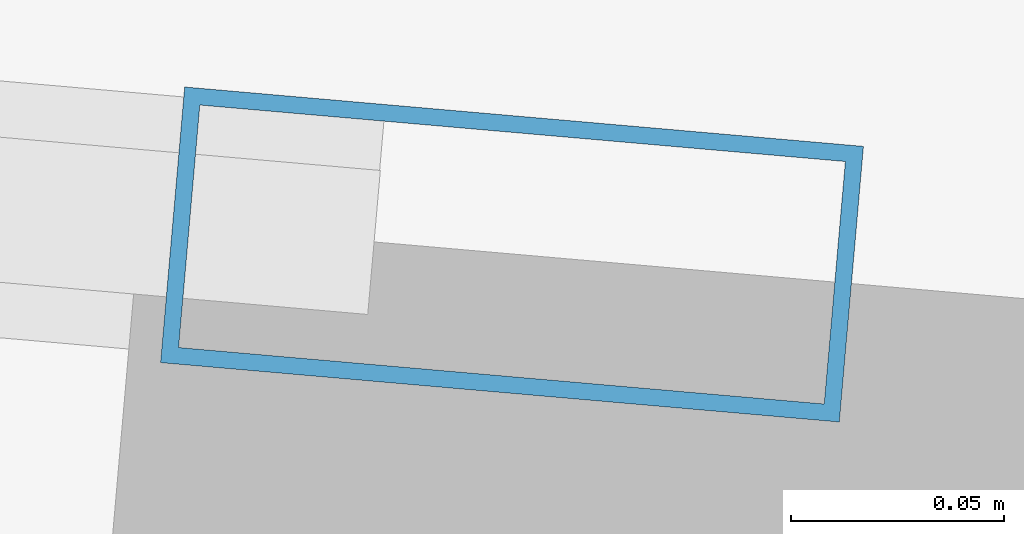
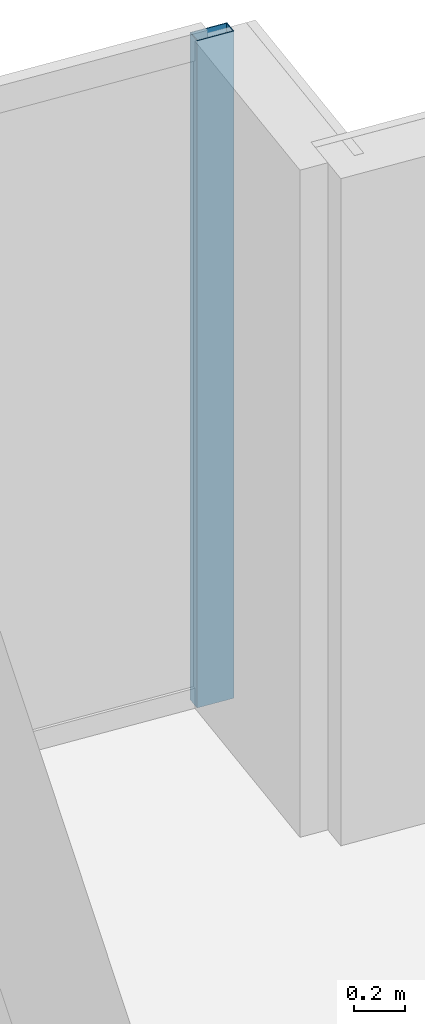
# One storey, part 22 of 33: 1 member, 1 element without a shape of its own.
"""IFC4 building model written with IfcOpenShell, lengths in metres."""

from ifc_helpers import new_model, si_unit, direction, frame, origin, origin_2d, place, context, subcontext, project, spatial, hollow_rectangle, extrude, material, material_profile, profile_set, type_object, element, aggregate, save


model = new_model("IFC4")

# Units and contexts
model_context = context("Model", 3, precision=1e-05, world=origin(), true_north=direction((0.0, 1.0)))
body_context = subcontext(model_context, "Body", "Model", "MODEL_VIEW")
ifc_project = project(units=[si_unit("LENGTHUNIT", "METRE"), si_unit("AREAUNIT", "SQUARE_METRE"), si_unit("VOLUMEUNIT", "CUBIC_METRE"), si_unit("PLANEANGLEUNIT", "RADIAN"), si_unit("MASSUNIT", "GRAM", prefix="KILO")], contexts=[model_context])

# Site, building, storey
site_placement = place(None, origin())
site = spatial("IfcSite", under=ifc_project, at=site_placement, CompositionType="ELEMENT")
building_placement = place(site_placement, origin())
building = spatial("IfcBuilding", under=site, at=building_placement, Name="Yelkora Congress Tower", CompositionType="ELEMENT")
storey_placement = place(building_placement, frame((0.0, 0.0, 289.699951171875)))
storey = spatial("IfcBuildingStorey", under=building, at=storey_placement, Name="L81", CompositionType="ELEMENT", Elevation=289.699951171875)

# Curtain wall, member
ifc_material_1 = material(Name="Anodised aluminium and insulated glass", Category="aluminium")
curtain_wall_type = type_object("IfcCurtainWallType", Name="CW-SYS-B5", PredefinedType="NOTDEFINED", material=ifc_material_1)
curtain_wall_placement = place(storey_placement, origin())
curtain_wall = element("IfcCurtainWall", 1, at=curtain_wall_placement, inside=storey, type_object=curtain_wall_type, Name="L81 Unitised Curtain Wall 10", PredefinedType="NOTDEFINED")
ifc_material_2 = material(Name="Anodised aluminium 6063-T6", Category="aluminium")
ifc_material_profile = material_profile(ifc_material_2, hollow_rectangle(XDim=0.06494140625, YDim=0.159912109375, WallThickness=0.00390625, at=origin_2d()), Name="ALU 65x160x4")
ifc_profile_set = profile_set([ifc_material_profile], Name="Anodised aluminium 6063-T6")
member_type = type_object("IfcMemberType", Name="MEM-ML-B5", PredefinedType="MULLION", material=ifc_profile_set)
member_placement = place(storey_placement, frame((55.753662109375, 46.44580078125, 0.0), z_axis=(0.0, 0.0, 1.0), x_axis=(0.087156639893, 0.996194619601, 0.0)))
member = element("IfcMember", 2, at=member_placement, type_object=member_type, Name="CW-B5 mullion 8", PredefinedType="MULLION", context=body_context, shape_type="SweptSolid", body=[
    extrude(hollow_rectangle(XDim=0.06494140625, YDim=0.159912109375, WallThickness=0.00390625, at=origin_2d()), origin(), (0.0, 0.0, 1.0), 3.179931640625),
])
aggregate(curtain_wall, [member])

save(model, "model.ifc")
